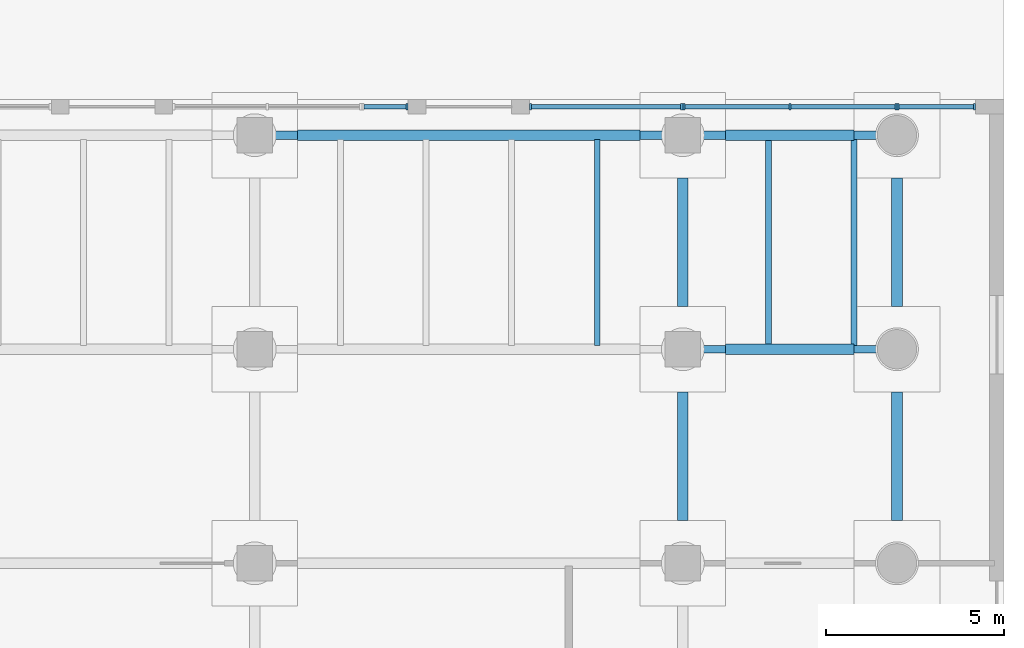
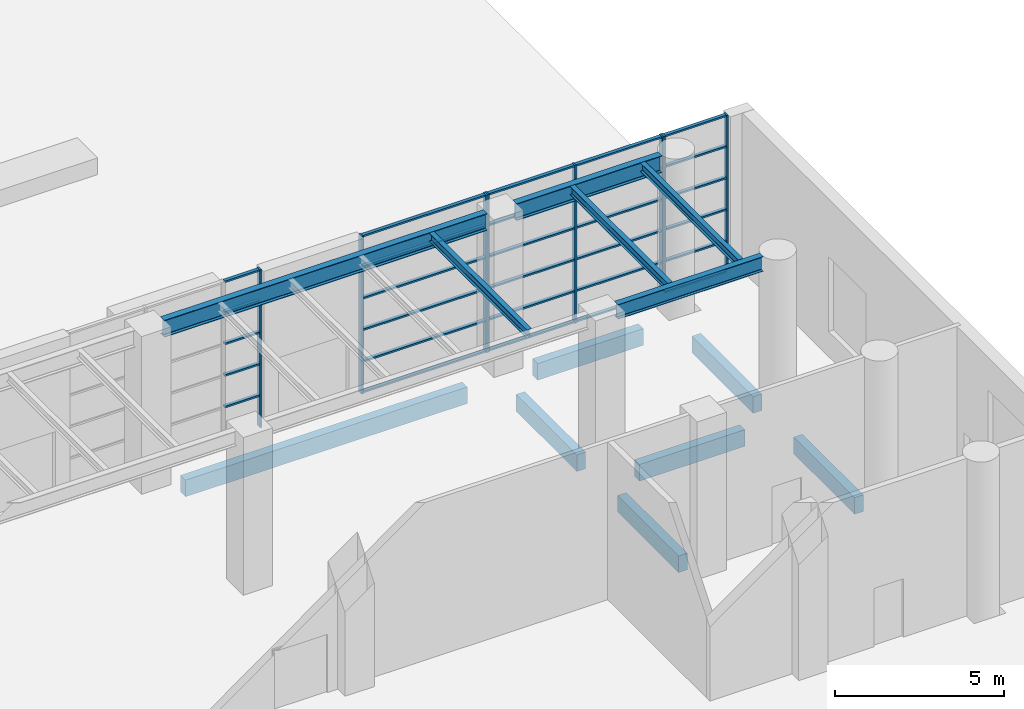
# One storey, part 7 of 27: 37 members, 13 beams, 4 elements without a shape of their own.
"""IFC4 building model written with IfcOpenShell, lengths in metres."""

from ifc_helpers import new_model, si_unit, direction, frame, origin, origin_2d, place, context, subcontext, project, spatial, rectangle, i_section, extrude, source, transform, mapped, material, layer, layer_set, material_profile, profile_set, type_object, element, aggregate, save


model = new_model("IFC4")

# Units and contexts
model_context = context("Model", 3, precision=1e-05, world=origin(), true_north=direction((0.0, 1.0)))
body_context = subcontext(model_context, "Body", "Model", "MODEL_VIEW")
ifc_project = project(units=[si_unit("LENGTHUNIT", "METRE"), si_unit("AREAUNIT", "SQUARE_METRE"), si_unit("VOLUMEUNIT", "CUBIC_METRE"), si_unit("PLANEANGLEUNIT", "RADIAN"), si_unit("MASSUNIT", "GRAM", prefix="KILO")], contexts=[model_context])

# Site, building, storey
site_placement = place(None, origin())
site = spatial("IfcSite", under=ifc_project, at=site_placement, CompositionType="ELEMENT")
building_placement = place(site_placement, origin())
building = spatial("IfcBuilding", under=site, at=building_placement, Name="Poui Terraces", CompositionType="ELEMENT")
storey_placement = place(building_placement, origin())
storey = spatial("IfcBuildingStorey", under=building, at=storey_placement, Name="L00", CompositionType="ELEMENT", Elevation=0.0)

# Curtain wall, member
ifc_material_1 = material(Name="Clear glass", Category="glass")
ifc_layer = layer(ifc_material_1, 0.179931640625)
ifc_layer_set = layer_set([ifc_layer], Name="Clear glass")
curtain_wall_type = type_object("IfcCurtainWallType", Name="CURTAIN WALL CW-B RESIDENT LOBBY GLAZING", PredefinedType="NOTDEFINED", material=ifc_layer_set)
curtain_wall_1_placement = place(storey_placement, origin())
curtain_wall_1 = element("IfcCurtainWall", 1, at=curtain_wall_1_placement, inside=storey, type_object=curtain_wall_type, Name="CW-B RESIDENT LOBBY GLAZING", PredefinedType="NOTDEFINED")
ifc_material_2 = material(Name="Aluminium frame", Category="aluminium")
ifc_material_profile_1 = material_profile(ifc_material_2, rectangle(XDim=0.179931640625, YDim=0.06005859375, at=origin_2d()), Name="CW-B MULLION 60X180")
ifc_profile_set_1 = profile_set([ifc_material_profile_1], Name="Aluminium frame")
member_type_1 = type_object("IfcMemberType", Name="CW-B MULLION 60X180", PredefinedType="MULLION", material=ifc_profile_set_1)
member_1_placement = place(storey_placement, frame((88.27001953125, 74.800048828125, 0.0), z_axis=(0.0, 0.0, 1.0), x_axis=(0.0, -1.0, 0.0)))
member_1 = element("IfcMember", 2, at=member_1_placement, type_object=member_type_1, Name="CW-B mullion 1", PredefinedType="MULLION", context=body_context, shape_type="SweptSolid", body=[
    extrude(rectangle(XDim=0.179931640625, YDim=0.06005859375, at=origin_2d()), origin(), (0.0, 0.0, 1.0), 5.679931640625),
])

# Curtain wall, members
curtain_wall_2_placement = place(storey_placement, origin())
curtain_wall_2 = element("IfcCurtainWall", 3, at=curtain_wall_2_placement, inside=storey, type_object=curtain_wall_type, Name="CW-B RESIDENT LOBBY GLAZING", PredefinedType="NOTDEFINED")
member_2_placement = place(storey_placement, frame((95.969970703125, 74.800048828125, 0.0), z_axis=(0.0, 0.0, 1.0), x_axis=(0.0, -1.0, 0.0)))
member_2 = element("IfcMember", 4, at=member_2_placement, type_object=member_type_1, Name="CW-B mullion 1", PredefinedType="MULLION", context=body_context, shape_type="SweptSolid", body=[
    extrude(rectangle(XDim=0.179931640625, YDim=0.06005859375, at=origin_2d()), origin(), (0.0, 0.0, 1.0), 5.679931640625),
])
member_3_placement = place(storey_placement, frame((91.72998046875, 74.800048828125, 0.0), z_axis=(0.0, 0.0, 1.0), x_axis=(0.0, -1.0, 0.0)))
member_3 = element("IfcMember", 5, at=member_3_placement, type_object=member_type_1, Name="CW-B mullion 2", PredefinedType="MULLION", context=body_context, shape_type="SweptSolid", body=[
    extrude(rectangle(XDim=0.179931640625, YDim=0.06005859375, at=origin_2d()), origin(), (0.0, 0.0, 1.0), 5.679931640625),
])

curtain_wall_3_placement = place(storey_placement, origin())
curtain_wall_3 = element("IfcCurtainWall", 6, at=curtain_wall_3_placement, inside=storey, type_object=curtain_wall_type, Name="CW-B RESIDENT LOBBY GLAZING", PredefinedType="NOTDEFINED")
member_4_placement = place(storey_placement, frame((101.969970703125, 74.800048828125, 0.0), z_axis=(0.0, 0.0, 1.0), x_axis=(0.0, -1.0, 0.0)))
member_4 = element("IfcMember", 7, at=member_4_placement, type_object=member_type_1, Name="CW-B mullion 1", PredefinedType="MULLION", context=body_context, shape_type="SweptSolid", body=[
    extrude(rectangle(XDim=0.179931640625, YDim=0.06005859375, at=origin_2d()), origin(), (0.0, 0.0, 1.0), 5.679931640625),
])
member_5_placement = place(storey_placement, frame((99.0, 74.800048828125, 0.0), z_axis=(0.0, 0.0, 1.0), x_axis=(0.0, -1.0, 0.0)))
member_5 = element("IfcMember", 8, at=member_5_placement, type_object=member_type_1, Name="CW-B mullion 2", PredefinedType="MULLION", context=body_context, shape_type="SweptSolid", body=[
    extrude(rectangle(XDim=0.179931640625, YDim=0.06005859375, at=origin_2d()), origin(), (0.0, 0.0, 1.0), 5.679931640625),
])
member_6_placement = place(storey_placement, frame((96.030029296875, 74.800048828125, 0.0), z_axis=(0.0, 0.0, 1.0), x_axis=(0.0, -1.0, 0.0)))
member_6 = element("IfcMember", 9, at=member_6_placement, type_object=member_type_1, Name="CW-B mullion 3", PredefinedType="MULLION", context=body_context, shape_type="SweptSolid", body=[
    extrude(rectangle(XDim=0.179931640625, YDim=0.06005859375, at=origin_2d()), origin(), (0.0, 0.0, 1.0), 5.679931640625),
])

curtain_wall_4_placement = place(storey_placement, origin())
curtain_wall_4 = element("IfcCurtainWall", 10, at=curtain_wall_4_placement, inside=storey, type_object=curtain_wall_type, Name="CW-B RESIDENT LOBBY GLAZING", PredefinedType="NOTDEFINED")
member_7_placement = place(storey_placement, frame((104.169921875, 74.800048828125, 0.0), z_axis=(0.0, 0.0, 1.0), x_axis=(0.0, -1.0, 0.0)))
member_7 = element("IfcMember", 11, at=member_7_placement, type_object=member_type_1, Name="CW-B mullion 1", PredefinedType="MULLION", context=body_context, shape_type="SweptSolid", body=[
    extrude(rectangle(XDim=0.179931640625, YDim=0.06005859375, at=origin_2d()), origin(), (0.0, 0.0, 1.0), 5.679931640625),
])
member_8_placement = place(storey_placement, frame((102.030029296875, 74.800048828125, 0.0), z_axis=(0.0, 0.0, 1.0), x_axis=(0.0, -1.0, 0.0)))
member_8 = element("IfcMember", 12, at=member_8_placement, type_object=member_type_1, Name="CW-B mullion 2", PredefinedType="MULLION", context=body_context, shape_type="SweptSolid", body=[
    extrude(rectangle(XDim=0.179931640625, YDim=0.06005859375, at=origin_2d()), origin(), (0.0, 0.0, 1.0), 5.679931640625),
])

# Member
ifc_material_profile_2 = material_profile(ifc_material_2, rectangle(XDim=0.1201171875, YDim=0.06005859375, at=origin_2d()), Name="CW-B TRANSOM 60X120")
ifc_profile_set_2 = profile_set([ifc_material_profile_2], Name="Aluminium frame")
member_type_2 = type_object("IfcMemberType", Name="CW-B TRANSOM 60X120", PredefinedType="USERDEFINED", material=ifc_profile_set_2)
member_9_placement = place(storey_placement, frame((88.239990234375, 74.800048828125, 1.135986328125), z_axis=(-1.0, 0.0, 0.0), x_axis=(0.0, -1.0, 0.0)))
member_9 = element("IfcMember", 13, at=member_9_placement, type_object=member_type_2, Name="CW-B transom 1.2", ObjectType="TRANSOM", PredefinedType="USERDEFINED", context=body_context, shape_type="SweptSolid", body=[
    extrude(rectangle(XDim=0.1201171875, YDim=0.06005859375, at=origin_2d()), origin(), (0.0, 0.0, 1.0), 1.179931640625),
])

member_10_placement = place(storey_placement, frame((88.239990234375, 74.800048828125, 2.27197265625), z_axis=(-1.0, 0.0, 0.0), x_axis=(0.0, -1.0, 0.0)))
member_10 = element("IfcMember", 14, at=member_10_placement, type_object=member_type_2, Name="CW-B transom 1.3", ObjectType="TRANSOM", PredefinedType="USERDEFINED", context=body_context, shape_type="SweptSolid", body=[
    extrude(rectangle(XDim=0.1201171875, YDim=0.06005859375, at=origin_2d()), origin(), (0.0, 0.0, 1.0), 1.179931640625),
])

member_11_placement = place(storey_placement, frame((88.239990234375, 74.800048828125, 3.407958984375), z_axis=(-1.0, 0.0, 0.0), x_axis=(0.0, -1.0, 0.0)))
member_11 = element("IfcMember", 15, at=member_11_placement, type_object=member_type_2, Name="CW-B transom 1.4", ObjectType="TRANSOM", PredefinedType="USERDEFINED", context=body_context, shape_type="SweptSolid", body=[
    extrude(rectangle(XDim=0.1201171875, YDim=0.06005859375, at=origin_2d()), origin(), (0.0, 0.0, 1.0), 1.179931640625),
])

member_12_placement = place(storey_placement, frame((88.239990234375, 74.800048828125, 4.5439453125), z_axis=(-1.0, 0.0, 0.0), x_axis=(0.0, -1.0, 0.0)))
member_12 = element("IfcMember", 16, at=member_12_placement, type_object=member_type_2, Name="CW-B transom 1.5", ObjectType="TRANSOM", PredefinedType="USERDEFINED", context=body_context, shape_type="SweptSolid", body=[
    extrude(rectangle(XDim=0.1201171875, YDim=0.06005859375, at=origin_2d()), origin(), (0.0, 0.0, 1.0), 1.179931640625),
])

member_13_placement = place(storey_placement, frame((88.239990234375, 74.800048828125, 5.64990234375), z_axis=(-1.0, 0.0, 0.0), x_axis=(0.0, -1.0, 0.0)))
member_13 = element("IfcMember", 17, at=member_13_placement, type_object=member_type_2, Name="CW-B transom 1.6", ObjectType="TRANSOM", PredefinedType="USERDEFINED", context=body_context, shape_type="SweptSolid", body=[
    extrude(rectangle(XDim=0.1201171875, YDim=0.06005859375, at=origin_2d()), origin(), (0.0, 0.0, 1.0), 1.179931640625),
])

aggregate(curtain_wall_1, [member_1, member_9, member_10, member_11, member_12, member_13])

member_14_placement = place(storey_placement, frame((95.93994140625, 74.800048828125, 0.030029296875), z_axis=(-1.0, 0.0, 0.0), x_axis=(0.0, -1.0, 0.0)))
member_14 = element("IfcMember", 18, at=member_14_placement, type_object=member_type_2, Name="CW-B transom 1.1", ObjectType="TRANSOM", PredefinedType="USERDEFINED", context=body_context, shape_type="SweptSolid", body=[
    extrude(rectangle(XDim=0.1201171875, YDim=0.06005859375, at=origin_2d()), origin(), (0.0, 0.0, 1.0), 4.179931640625),
])

member_15_placement = place(storey_placement, frame((95.93994140625, 74.800048828125, 1.135986328125), z_axis=(-1.0, 0.0, 0.0), x_axis=(0.0, -1.0, 0.0)))
member_15 = element("IfcMember", 19, at=member_15_placement, type_object=member_type_2, Name="CW-B transom 1.2", ObjectType="TRANSOM", PredefinedType="USERDEFINED", context=body_context, shape_type="SweptSolid", body=[
    extrude(rectangle(XDim=0.1201171875, YDim=0.06005859375, at=origin_2d()), origin(), (0.0, 0.0, 1.0), 4.179931640625),
])

member_16_placement = place(storey_placement, frame((95.93994140625, 74.800048828125, 2.27197265625), z_axis=(-1.0, 0.0, 0.0), x_axis=(0.0, -1.0, 0.0)))
member_16 = element("IfcMember", 20, at=member_16_placement, type_object=member_type_2, Name="CW-B transom 1.3", ObjectType="TRANSOM", PredefinedType="USERDEFINED", context=body_context, shape_type="SweptSolid", body=[
    extrude(rectangle(XDim=0.1201171875, YDim=0.06005859375, at=origin_2d()), origin(), (0.0, 0.0, 1.0), 4.179931640625),
])

member_17_placement = place(storey_placement, frame((95.93994140625, 74.800048828125, 3.407958984375), z_axis=(-1.0, 0.0, 0.0), x_axis=(0.0, -1.0, 0.0)))
member_17 = element("IfcMember", 21, at=member_17_placement, type_object=member_type_2, Name="CW-B transom 1.4", ObjectType="TRANSOM", PredefinedType="USERDEFINED", context=body_context, shape_type="SweptSolid", body=[
    extrude(rectangle(XDim=0.1201171875, YDim=0.06005859375, at=origin_2d()), origin(), (0.0, 0.0, 1.0), 4.179931640625),
])

member_18_placement = place(storey_placement, frame((95.93994140625, 74.800048828125, 4.5439453125), z_axis=(-1.0, 0.0, 0.0), x_axis=(0.0, -1.0, 0.0)))
member_18 = element("IfcMember", 22, at=member_18_placement, type_object=member_type_2, Name="CW-B transom 1.5", ObjectType="TRANSOM", PredefinedType="USERDEFINED", context=body_context, shape_type="SweptSolid", body=[
    extrude(rectangle(XDim=0.1201171875, YDim=0.06005859375, at=origin_2d()), origin(), (0.0, 0.0, 1.0), 4.179931640625),
])

member_19_placement = place(storey_placement, frame((95.93994140625, 74.800048828125, 5.64990234375), z_axis=(-1.0, 0.0, 0.0), x_axis=(0.0, -1.0, 0.0)))
member_19 = element("IfcMember", 23, at=member_19_placement, type_object=member_type_2, Name="CW-B transom 1.6", ObjectType="TRANSOM", PredefinedType="USERDEFINED", context=body_context, shape_type="SweptSolid", body=[
    extrude(rectangle(XDim=0.1201171875, YDim=0.06005859375, at=origin_2d()), origin(), (0.0, 0.0, 1.0), 4.179931640625),
])

aggregate(curtain_wall_2, [member_2, member_3, member_14, member_15, member_16, member_17, member_18, member_19])

member_20_placement = place(storey_placement, frame((101.93994140625, 74.800048828125, 0.030029296875), z_axis=(-1.0, 0.0, 0.0), x_axis=(0.0, -1.0, 0.0)))
member_20 = element("IfcMember", 24, at=member_20_placement, type_object=member_type_2, Name="CW-B transom 1.1", ObjectType="TRANSOM", PredefinedType="USERDEFINED", context=body_context, shape_type="SweptSolid", body=[
    extrude(rectangle(XDim=0.1201171875, YDim=0.06005859375, at=origin_2d()), origin(), (0.0, 0.0, 1.0), 2.909912109375),
])

member_21_placement = place(storey_placement, frame((101.93994140625, 74.800048828125, 1.135986328125), z_axis=(-1.0, 0.0, 0.0), x_axis=(0.0, -1.0, 0.0)))
member_21 = element("IfcMember", 25, at=member_21_placement, type_object=member_type_2, Name="CW-B transom 1.2", ObjectType="TRANSOM", PredefinedType="USERDEFINED", context=body_context, shape_type="SweptSolid", body=[
    extrude(rectangle(XDim=0.1201171875, YDim=0.06005859375, at=origin_2d()), origin(), (0.0, 0.0, 1.0), 2.909912109375),
])

member_22_placement = place(storey_placement, frame((101.93994140625, 74.800048828125, 2.27197265625), z_axis=(-1.0, 0.0, 0.0), x_axis=(0.0, -1.0, 0.0)))
member_22 = element("IfcMember", 26, at=member_22_placement, type_object=member_type_2, Name="CW-B transom 1.3", ObjectType="TRANSOM", PredefinedType="USERDEFINED", context=body_context, shape_type="SweptSolid", body=[
    extrude(rectangle(XDim=0.1201171875, YDim=0.06005859375, at=origin_2d()), origin(), (0.0, 0.0, 1.0), 2.909912109375),
])

member_23_placement = place(storey_placement, frame((101.93994140625, 74.800048828125, 3.407958984375), z_axis=(-1.0, 0.0, 0.0), x_axis=(0.0, -1.0, 0.0)))
member_23 = element("IfcMember", 27, at=member_23_placement, type_object=member_type_2, Name="CW-B transom 1.4", ObjectType="TRANSOM", PredefinedType="USERDEFINED", context=body_context, shape_type="SweptSolid", body=[
    extrude(rectangle(XDim=0.1201171875, YDim=0.06005859375, at=origin_2d()), origin(), (0.0, 0.0, 1.0), 2.909912109375),
])

member_24_placement = place(storey_placement, frame((101.93994140625, 74.800048828125, 4.5439453125), z_axis=(-1.0, 0.0, 0.0), x_axis=(0.0, -1.0, 0.0)))
member_24 = element("IfcMember", 28, at=member_24_placement, type_object=member_type_2, Name="CW-B transom 1.5", ObjectType="TRANSOM", PredefinedType="USERDEFINED", context=body_context, shape_type="SweptSolid", body=[
    extrude(rectangle(XDim=0.1201171875, YDim=0.06005859375, at=origin_2d()), origin(), (0.0, 0.0, 1.0), 2.909912109375),
])

member_25_placement = place(storey_placement, frame((101.93994140625, 74.800048828125, 5.64990234375), z_axis=(-1.0, 0.0, 0.0), x_axis=(0.0, -1.0, 0.0)))
member_25 = element("IfcMember", 29, at=member_25_placement, type_object=member_type_2, Name="CW-B transom 1.6", ObjectType="TRANSOM", PredefinedType="USERDEFINED", context=body_context, shape_type="SweptSolid", body=[
    extrude(rectangle(XDim=0.1201171875, YDim=0.06005859375, at=origin_2d()), origin(), (0.0, 0.0, 1.0), 2.909912109375),
])

member_26_placement = place(storey_placement, frame((98.969970703125, 74.800048828125, 0.030029296875), z_axis=(-1.0, 0.0, 0.0), x_axis=(0.0, -1.0, 0.0)))
member_26 = element("IfcMember", 30, at=member_26_placement, type_object=member_type_2, Name="CW-B transom 2.1", ObjectType="TRANSOM", PredefinedType="USERDEFINED", context=body_context, shape_type="SweptSolid", body=[
    extrude(rectangle(XDim=0.1201171875, YDim=0.06005859375, at=origin_2d()), origin(), (0.0, 0.0, 1.0), 2.909912109375),
])

member_27_placement = place(storey_placement, frame((98.969970703125, 74.800048828125, 1.135986328125), z_axis=(-1.0, 0.0, 0.0), x_axis=(0.0, -1.0, 0.0)))
member_27 = element("IfcMember", 31, at=member_27_placement, type_object=member_type_2, Name="CW-B transom 2.2", ObjectType="TRANSOM", PredefinedType="USERDEFINED", context=body_context, shape_type="SweptSolid", body=[
    extrude(rectangle(XDim=0.1201171875, YDim=0.06005859375, at=origin_2d()), origin(), (0.0, 0.0, 1.0), 2.909912109375),
])

member_28_placement = place(storey_placement, frame((98.969970703125, 74.800048828125, 2.27197265625), z_axis=(-1.0, 0.0, 0.0), x_axis=(0.0, -1.0, 0.0)))
member_28 = element("IfcMember", 32, at=member_28_placement, type_object=member_type_2, Name="CW-B transom 2.3", ObjectType="TRANSOM", PredefinedType="USERDEFINED", context=body_context, shape_type="SweptSolid", body=[
    extrude(rectangle(XDim=0.1201171875, YDim=0.06005859375, at=origin_2d()), origin(), (0.0, 0.0, 1.0), 2.909912109375),
])

member_29_placement = place(storey_placement, frame((98.969970703125, 74.800048828125, 3.407958984375), z_axis=(-1.0, 0.0, 0.0), x_axis=(0.0, -1.0, 0.0)))
member_29 = element("IfcMember", 33, at=member_29_placement, type_object=member_type_2, Name="CW-B transom 2.4", ObjectType="TRANSOM", PredefinedType="USERDEFINED", context=body_context, shape_type="SweptSolid", body=[
    extrude(rectangle(XDim=0.1201171875, YDim=0.06005859375, at=origin_2d()), origin(), (0.0, 0.0, 1.0), 2.909912109375),
])

member_30_placement = place(storey_placement, frame((98.969970703125, 74.800048828125, 4.5439453125), z_axis=(-1.0, 0.0, 0.0), x_axis=(0.0, -1.0, 0.0)))
member_30 = element("IfcMember", 34, at=member_30_placement, type_object=member_type_2, Name="CW-B transom 2.5", ObjectType="TRANSOM", PredefinedType="USERDEFINED", context=body_context, shape_type="SweptSolid", body=[
    extrude(rectangle(XDim=0.1201171875, YDim=0.06005859375, at=origin_2d()), origin(), (0.0, 0.0, 1.0), 2.909912109375),
])

member_31_placement = place(storey_placement, frame((98.969970703125, 74.800048828125, 5.64990234375), z_axis=(-1.0, 0.0, 0.0), x_axis=(0.0, -1.0, 0.0)))
member_31 = element("IfcMember", 35, at=member_31_placement, type_object=member_type_2, Name="CW-B transom 2.6", ObjectType="TRANSOM", PredefinedType="USERDEFINED", context=body_context, shape_type="SweptSolid", body=[
    extrude(rectangle(XDim=0.1201171875, YDim=0.06005859375, at=origin_2d()), origin(), (0.0, 0.0, 1.0), 2.909912109375),
])

aggregate(curtain_wall_3, [member_4, member_5, member_6, member_20, member_21, member_22, member_23, member_24, member_25, member_26, member_27, member_28, member_29, member_30, member_31])

member_32_placement = place(storey_placement, frame((104.139892578125, 74.800048828125, 0.030029296875), z_axis=(-1.0, 0.0, 0.0), x_axis=(0.0, -1.0, 0.0)))
member_32 = element("IfcMember", 36, at=member_32_placement, type_object=member_type_2, Name="CW-B transom 1.1", ObjectType="TRANSOM", PredefinedType="USERDEFINED", context=body_context, shape_type="SweptSolid", body=[
    extrude(rectangle(XDim=0.1201171875, YDim=0.06005859375, at=origin_2d()), origin(), (0.0, 0.0, 1.0), 2.079833984375),
])

member_33_placement = place(storey_placement, frame((104.139892578125, 74.800048828125, 1.135986328125), z_axis=(-1.0, 0.0, 0.0), x_axis=(0.0, -1.0, 0.0)))
member_33 = element("IfcMember", 37, at=member_33_placement, type_object=member_type_2, Name="CW-B transom 1.2", ObjectType="TRANSOM", PredefinedType="USERDEFINED", context=body_context, shape_type="SweptSolid", body=[
    extrude(rectangle(XDim=0.1201171875, YDim=0.06005859375, at=origin_2d()), origin(), (0.0, 0.0, 1.0), 2.079833984375),
])

member_34_placement = place(storey_placement, frame((104.139892578125, 74.800048828125, 2.27197265625), z_axis=(-1.0, 0.0, 0.0), x_axis=(0.0, -1.0, 0.0)))
member_34 = element("IfcMember", 38, at=member_34_placement, type_object=member_type_2, Name="CW-B transom 1.3", ObjectType="TRANSOM", PredefinedType="USERDEFINED", context=body_context, shape_type="SweptSolid", body=[
    extrude(rectangle(XDim=0.1201171875, YDim=0.06005859375, at=origin_2d()), origin(), (0.0, 0.0, 1.0), 2.079833984375),
])

member_35_placement = place(storey_placement, frame((104.139892578125, 74.800048828125, 3.407958984375), z_axis=(-1.0, 0.0, 0.0), x_axis=(0.0, -1.0, 0.0)))
member_35 = element("IfcMember", 39, at=member_35_placement, type_object=member_type_2, Name="CW-B transom 1.4", ObjectType="TRANSOM", PredefinedType="USERDEFINED", context=body_context, shape_type="SweptSolid", body=[
    extrude(rectangle(XDim=0.1201171875, YDim=0.06005859375, at=origin_2d()), origin(), (0.0, 0.0, 1.0), 2.079833984375),
])

member_36_placement = place(storey_placement, frame((104.139892578125, 74.800048828125, 4.5439453125), z_axis=(-1.0, 0.0, 0.0), x_axis=(0.0, -1.0, 0.0)))
member_36 = element("IfcMember", 40, at=member_36_placement, type_object=member_type_2, Name="CW-B transom 1.5", ObjectType="TRANSOM", PredefinedType="USERDEFINED", context=body_context, shape_type="SweptSolid", body=[
    extrude(rectangle(XDim=0.1201171875, YDim=0.06005859375, at=origin_2d()), origin(), (0.0, 0.0, 1.0), 2.079833984375),
])

member_37_placement = place(storey_placement, frame((104.139892578125, 74.800048828125, 5.64990234375), z_axis=(-1.0, 0.0, 0.0), x_axis=(0.0, -1.0, 0.0)))
member_37 = element("IfcMember", 41, at=member_37_placement, type_object=member_type_2, Name="CW-B transom 1.6", ObjectType="TRANSOM", PredefinedType="USERDEFINED", context=body_context, shape_type="SweptSolid", body=[
    extrude(rectangle(XDim=0.1201171875, YDim=0.06005859375, at=origin_2d()), origin(), (0.0, 0.0, 1.0), 2.079833984375),
])

aggregate(curtain_wall_4, [member_7, member_8, member_32, member_33, member_34, member_35, member_36, member_37])

# Beams
ifc_material_3 = material(Name="Concrete 50 MPa", Category="concrete")
ifc_material_profile_3 = material_profile(ifc_material_3, rectangle(XDim=0.300048828125, YDim=0.60009765625, at=origin_2d()), Name="RC 300x600")
ifc_profile_set_3 = profile_set([ifc_material_profile_3], Name="Concrete 50 MPa")
beam_type_1 = type_object("IfcBeamType", Name="GROUND TIE BEAM 300x600 50MPa", PredefinedType="BEAM", material=ifc_profile_set_3)
shared_shape_1 = source(origin(), body_context, "Body", "SweptSolid", [
    extrude(rectangle(XDim=0.300048828125, YDim=0.60009765625, at=origin_2d()), origin(), (0.0, 0.0, 1.0), 9.60009765625),
])
beam_1_placement = place(storey_placement, frame((85.199951171875, 74.0, -0.60009765625), z_axis=(1.0, 0.0, 0.0), x_axis=(0.0, 1.0, 0.0)))
element("IfcBeam", 42, at=beam_1_placement, inside=storey, type_object=beam_type_1, Name="GROUND TIE BEAM", PredefinedType="BEAM", context=body_context, shape_type="MappedRepresentation", body=[
    mapped(shared_shape_1, transform((0.0, 0.0, 0.0))),
])
shared_shape_2 = source(origin(), body_context, "Body", "SweptSolid", [
    extrude(rectangle(XDim=0.300048828125, YDim=0.60009765625, at=origin_2d()), origin(), (0.0, 0.0, 1.0), 3.60009765625),
])
for number, where, z_axis, x_axis, name in (
    (43, (97.199951171875, 68.0, -0.60009765625), (1.0, 0.0, 0.0), (0.0, 1.0, 0.0), "GROUND TIE BEAM"),
    (44, (97.199951171875, 74.0, -0.60009765625), (1.0, 0.0, 0.0), (0.0, 1.0, 0.0), "GROUND TIE BEAM"),
    (45, (96.0, 63.199951171875, -0.60009765625), (0.0, 1.0, 0.0), (-1.0, 0.0, 0.0), "GROUND TIE BEAM"),
    (46, (102.0, 63.199951171875, -0.60009765625), (0.0, 1.0, 0.0), (-1.0, 0.0, 0.0), "GROUND TIE BEAM"),
    (47, (96.0, 69.199951171875, -0.60009765625), (0.0, 1.0, 0.0), (-1.0, 0.0, 0.0), "GROUND TIE BEAM"),
    (48, (102.0, 69.199951171875, -0.60009765625), (0.0, 1.0, 0.0), (-1.0, 0.0, 0.0), "GROUND TIE BEAM"),
):
    element("IfcBeam", number, at=place(storey_placement, frame(where, z_axis=z_axis, x_axis=x_axis)), inside=storey, type_object=beam_type_1, Name=name, PredefinedType="BEAM", context=body_context, shape_type="MappedRepresentation", body=[
        mapped(shared_shape_2, transform((0.0, 0.0, 0.0))),
    ])
ifc_material_4 = material(Name="Steel Grade 300 MPa", Category="steel")
ifc_material_profile_4 = material_profile(ifc_material_4, i_section(OverallWidth=0.22900390625, OverallDepth=0.611572265625, WebThickness=0.011962890625, FlangeThickness=0.01953125, FilletRadius=0.013916015625, at=origin_2d()), Name="610UB125")
ifc_profile_set_4 = profile_set([ifc_material_profile_4], Name="Steel Grade 300 MPa")
beam_type_2 = type_object("IfcBeamType", Name="TERRACE GIRDER 610UB125", PredefinedType="BEAM", material=ifc_profile_set_4)
shared_shape_3 = source(origin(), body_context, "Body", "SweptSolid", [
    extrude(i_section(OverallWidth=0.22900390625, OverallDepth=0.611572265625, WebThickness=0.011962890625, FlangeThickness=0.01953125, FilletRadius=0.013916015625, at=origin_2d()), origin(), (0.0, 0.0, 1.0), 11.0),
])
beam_2_placement = place(storey_placement, frame((84.5, 74.0, 5.374267578125), z_axis=(1.0, 0.0, 0.0), x_axis=(0.0, 1.0, 0.0)))
element("IfcBeam", 49, at=beam_2_placement, inside=storey, type_object=beam_type_2, Name="TERRACE GIRDER", PredefinedType="BEAM", context=body_context, shape_type="MappedRepresentation", body=[
    mapped(shared_shape_3, transform((0.0, 0.0, 0.0))),
])
shared_shape_4 = source(origin(), body_context, "Body", "SweptSolid", [
    extrude(i_section(OverallWidth=0.22900390625, OverallDepth=0.611572265625, WebThickness=0.011962890625, FlangeThickness=0.01953125, FilletRadius=0.013916015625, at=origin_2d()), origin(), (0.0, 0.0, 1.0), 4.949951171875),
])
beam_3_placement = place(storey_placement, frame((96.5, 74.0, 5.374267578125), z_axis=(1.0, 0.0, 0.0), x_axis=(0.0, 1.0, 0.0)))
element("IfcBeam", 50, at=beam_3_placement, inside=storey, type_object=beam_type_2, Name="TERRACE GIRDER", PredefinedType="BEAM", context=body_context, shape_type="MappedRepresentation", body=[
    mapped(shared_shape_4, transform((0.0, 0.0, 0.0))),
])
ifc_material_profile_5 = material_profile(ifc_material_4, i_section(OverallWidth=0.208984375, OverallDepth=0.532958984375, WebThickness=0.01025390625, FlangeThickness=0.015625, FilletRadius=0.013916015625, at=origin_2d()), Name="530UB92.4")
ifc_profile_set_5 = profile_set([ifc_material_profile_5], Name="Steel Grade 300 MPa")
beam_type_3 = type_object("IfcBeamType", Name="TERRACE INNER GIRDER 530UB92.4", PredefinedType="BEAM", material=ifc_profile_set_5)
shared_shape_5 = source(origin(), body_context, "Body", "SweptSolid", [
    extrude(i_section(OverallWidth=0.208984375, OverallDepth=0.532958984375, WebThickness=0.01025390625, FlangeThickness=0.015625, FilletRadius=0.013916015625, at=origin_2d()), origin(), (0.0, 0.0, 1.0), 4.949951171875),
])
beam_4_placement = place(storey_placement, frame((96.5, 68.0, 5.41357421875), z_axis=(1.0, 0.0, 0.0), x_axis=(0.0, 1.0, 0.0)))
element("IfcBeam", 51, at=beam_4_placement, inside=storey, type_object=beam_type_3, Name="TERRACE GIRDER", PredefinedType="BEAM", context=body_context, shape_type="MappedRepresentation", body=[
    mapped(shared_shape_5, transform((0.0, 0.0, 0.0))),
])
ifc_material_profile_6 = material_profile(ifc_material_4, i_section(OverallWidth=0.166015625, OverallDepth=0.30712890625, WebThickness=0.006591796875, FlangeThickness=0.01171875, FilletRadius=0.011474609375, at=origin_2d()), Name="310UB46.2")
ifc_profile_set_6 = profile_set([ifc_material_profile_6], Name="Steel Grade 300 MPa")
beam_type_4 = type_object("IfcBeamType", Name="TERRACE BEAM 310UB46.2", PredefinedType="BEAM", material=ifc_profile_set_6)
shared_shape_6 = source(origin(), body_context, "Body", "SweptSolid", [
    extrude(i_section(OverallWidth=0.166015625, OverallDepth=0.30712890625, WebThickness=0.006591796875, FlangeThickness=0.01171875, FilletRadius=0.011474609375, at=origin_2d()), origin(), (0.0, 0.0, 1.0), 5.781005859375),
])
for number, where, z_axis, x_axis, name in (
    (52, (93.60009765625, 68.1044921875, 5.5263671875), (0.0, 1.0, 0.0), (-1.0, 0.0, 0.0), "TERRACE BEAM"),
    (53, (98.39990234375, 68.1044921875, 5.5263671875), (0.0, 1.0, 0.0), (-1.0, 0.0, 0.0), "TERRACE BEAM"),
    (54, (100.800048828125, 68.1044921875, 5.5263671875), (0.0, 1.0, 0.0), (-1.0, 0.0, 0.0), "TERRACE BEAM"),
):
    element("IfcBeam", number, at=place(storey_placement, frame(where, z_axis=z_axis, x_axis=x_axis)), inside=storey, type_object=beam_type_4, Name=name, PredefinedType="BEAM", context=body_context, shape_type="MappedRepresentation", body=[
        mapped(shared_shape_6, transform((0.0, 0.0, 0.0))),
    ])

save(model, "model.ifc")
